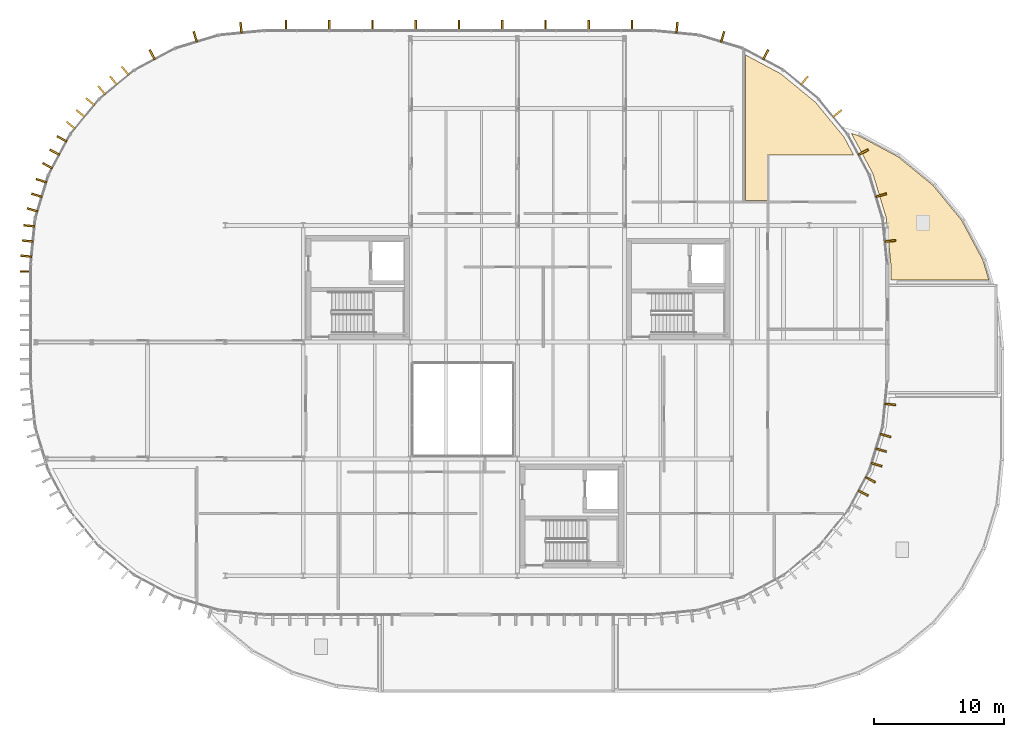
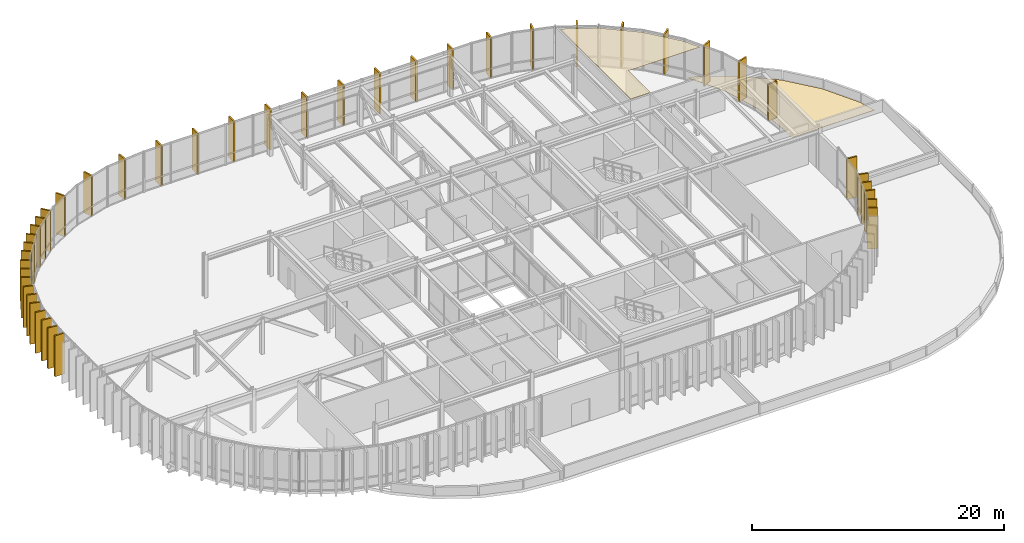
# One storey, part 29 of 29: 44 coverings.
"""IFC4 building model written with IfcOpenShell, lengths in metres."""

from ifc_helpers import new_model, si_unit, direction, frame, origin, origin_2d, place, context, subcontext, project, spatial, polyline, rectangle, outline, extrude, material, layer, layer_set, type_object, element, save


model = new_model("IFC4")

# Units and contexts
model_context = context("Model", 3, precision=1e-05, world=origin(), true_north=direction((0.0, 1.0)))
body_context = subcontext(model_context, "Body", "Model", "MODEL_VIEW")
ifc_project = project(units=[si_unit("LENGTHUNIT", "METRE"), si_unit("AREAUNIT", "SQUARE_METRE"), si_unit("VOLUMEUNIT", "CUBIC_METRE"), si_unit("PLANEANGLEUNIT", "RADIAN"), si_unit("MASSUNIT", "GRAM", prefix="KILO")], contexts=[model_context])

# Site, building, storey
site_placement = place(None, origin())
site = spatial("IfcSite", under=ifc_project, at=site_placement, CompositionType="ELEMENT")
building_placement = place(site_placement, origin())
building = spatial("IfcBuilding", under=site, at=building_placement, Name="Montealbar Specialist Clinic", CompositionType="ELEMENT")
storey_placement = place(building_placement, frame((0.0, 0.0, 22.199951171875)))
storey = spatial("IfcBuildingStorey", under=building, at=storey_placement, Name="L05", CompositionType="ELEMENT", Elevation=22.199951171875)

# Coverings
ifc_material_1 = material(Name="Hygienic acoustic ceiling tile", Category="gypsum")
ifc_layer_1 = layer(ifc_material_1, 0.02490234375, Name="Hygienic acoustic ceiling tile", Category="gypsum")
ifc_layer_set_1 = layer_set([ifc_layer_1], Name="Hygienic acoustic ceiling tile")
covering_type_1 = type_object("IfcCoveringType", Name="COV-CEIL-ACOUSTIC", PredefinedType="CEILING", material=ifc_layer_set_1)
covering_1_placement = place(storey_placement, frame((0.0, 0.0, 3.9150390625)))
element("IfcCovering", 1, at=covering_1_placement, inside=storey, type_object=covering_type_1, Name="Hygienic Acoustic Ceiling Precision Oncology Data & Trial Coordination Suite", PredefinedType="CEILING", context=body_context, shape_type="SweptSolid", body=[
    extrude(outline(polyline([(107.674072265625, 42.804931640625), (108.4189453125, 41.409912109375), (101.889892578125, 41.409912109375), (101.889892578125, 37.929931640625), (100.080078125, 37.929931640625), (100.080078125, 49.1298828125), (102.804931640625, 47.674072265625), (105.47900390625, 45.47900390625), (107.674072265625, 42.804931640625)])), origin(), (0.0, 0.0, 1.0), 0.02490234375),
])
ifc_material_2 = material(Name="Thermally modified timber cladding", Category="wood")
ifc_layer_2 = layer(ifc_material_2, 0.139892578125, Name="Thermally modified timber cladding", Category="wood")
ifc_layer_set_2 = layer_set([ifc_layer_2], Name="Thermally modified timber cladding")
covering_type_2 = type_object("IfcCoveringType", Name="COV-FIN-TIMBER-850", PredefinedType="CLADDING", material=ifc_layer_set_2)
for number, where, z_axis, x_axis, name in (
    (2, (44.60009765625, 32.43798828125, 0.0), (0.0, 0.0, 1.0), (-1.0, 0.0, 0.0), "Vertical Timber Solar Fin CF-L05-0387"),
    (3, (44.659912109375, 33.625, 0.0), (0.0, 0.0, 1.0), (-0.995182012183, 0.098044697094, 0.0), "Vertical Timber Solar Fin CF-L05-0388"),
    (4, (44.77490234375, 34.794921875, 0.0), (0.0, 0.0, 1.0), (-0.995182012183, 0.098044697094, 0.0), "Vertical Timber Solar Fin CF-L05-0389"),
    (5, (44.889892578125, 35.966064453125, 0.0), (0.0, 0.0, 1.0), (-0.995182012183, 0.098044697094, 0.0), "Vertical Timber Solar Fin CF-L05-0390"),
    (6, (45.134033203125, 37.19091796875, 0.0), (0.0, 0.0, 1.0), (-0.956948083701, 0.290259134399, 0.0), "Vertical Timber Solar Fin CF-L05-0391"),
    (7, (45.47509765625, 38.31591796875, 0.0), (0.0, 0.0, 1.0), (-0.956948083701, 0.290259134399, 0.0), "Vertical Timber Solar Fin CF-L05-0392"),
    (8, (45.81689453125, 39.44091796875, 0.0), (0.0, 0.0, 1.0), (-0.956948083701, 0.290259134399, 0.0), "Vertical Timber Solar Fin CF-L05-0393"),
    (9, (46.294921875, 40.594970703125, 0.0), (0.0, 0.0, 1.0), (-0.881850411644, 0.471529268958, 0.0), "Vertical Timber Solar Fin CF-L05-0394"),
    (10, (46.84912109375, 41.633056640625, 0.0), (0.0, 0.0, 1.0), (-0.881850411644, 0.471529268958, 0.0), "Vertical Timber Solar Fin CF-L05-0395"),
    (11, (47.404052734375, 42.669921875, 0.0), (0.0, 0.0, 1.0), (-0.881850411644, 0.471529268958, 0.0), "Vertical Timber Solar Fin CF-L05-0396"),
    (12, (48.097900390625, 43.7080078125, 0.0), (0.0, 0.0, 1.0), (-0.773123255923, 0.634255808922, 0.0), "Vertical Timber Solar Fin CF-L05-0397"),
    (13, (48.843994140625, 44.617919921875, 0.0), (0.0, 0.0, 1.0), (-0.773123255923, 0.634255808922, 0.0), "Vertical Timber Solar Fin CF-L05-0398"),
    (14, (49.590087890625, 45.527099609375, 0.0), (0.0, 0.0, 1.0), (-0.773123255923, 0.634255808922, 0.0), "Vertical Timber Solar Fin CF-L05-0399"),
    (15, (50.472900390625, 46.409912109375, 0.0), (0.0, 0.0, 1.0), (-0.634255808922, 0.773123255923, 0.0), "Vertical Timber Solar Fin CF-L05-0400"),
    (16, (51.382080078125, 47.156005859375, 0.0), (0.0, 0.0, 1.0), (-0.634255808922, 0.773123255923, 0.0), "Vertical Timber Solar Fin CF-L05-0401"),
    (17, (52.2919921875, 47.902099609375, 0.0), (0.0, 0.0, 1.0), (-0.634255808922, 0.773123255923, 0.0), "Vertical Timber Solar Fin CF-L05-0402"),
    (18, (54.366943359375, 49.15087890625, 0.0), (0.0, 0.0, 1.0), (-0.471529268958, 0.881850411644, 0.0), "Vertical Timber Solar Fin CF-L05-0403"),
    (19, (57.68408203125, 50.52490234375, 0.0), (0.0, 0.0, 1.0), (-0.290259134399, 0.956948083701, 0.0), "Vertical Timber Solar Fin CF-L05-0404"),
    (20, (61.205078125, 51.22509765625, 0.0), (0.0, 0.0, 1.0), (-0.098044697094, 0.995182012183, 0.0), "Vertical Timber Solar Fin CF-L05-0405"),
    (21, (64.6669921875, 51.39990234375, 0.0), (0.0, 0.0, 1.0), (0.0, 1.0, 0.0), "Vertical Timber Solar Fin CF-L05-0406"),
    (22, (68.0, 51.39990234375, 0.0), (0.0, 0.0, 1.0), (0.0, 1.0, 0.0), "Vertical Timber Solar Fin CF-L05-0407"),
    (23, (71.3330078125, 51.39990234375, 0.0), (0.0, 0.0, 1.0), (0.0, 1.0, 0.0), "Vertical Timber Solar Fin CF-L05-0408"),
    (24, (74.6669921875, 51.39990234375, 0.0), (0.0, 0.0, 1.0), (0.0, 1.0, 0.0), "Vertical Timber Solar Fin CF-L05-0409"),
    (25, (78.0, 51.39990234375, 0.0), (0.0, 0.0, 1.0), (0.0, 1.0, 0.0), "Vertical Timber Solar Fin CF-L05-0410"),
    (26, (81.3330078125, 51.39990234375, 0.0), (0.0, 0.0, 1.0), (0.0, 1.0, 0.0), "Vertical Timber Solar Fin CF-L05-0411"),
    (27, (84.6669921875, 51.39990234375, 0.0), (0.0, 0.0, 1.0), (0.0, 1.0, 0.0), "Vertical Timber Solar Fin CF-L05-0412"),
    (28, (88.0, 51.39990234375, 0.0), (0.0, 0.0, 1.0), (0.0, 1.0, 0.0), "Vertical Timber Solar Fin CF-L05-0413"),
    (29, (91.3330078125, 51.39990234375, 0.0), (0.0, 0.0, 1.0), (0.0, 1.0, 0.0), "Vertical Timber Solar Fin CF-L05-0414"),
    (30, (94.794921875, 51.22509765625, 0.0), (0.0, 0.0, 1.0), (0.098044697094, 0.995182012183, 0.0), "Vertical Timber Solar Fin CF-L05-0415"),
    (31, (98.31591796875, 50.52490234375, 0.0), (0.0, 0.0, 1.0), (0.290259134399, 0.956948083701, 0.0), "Vertical Timber Solar Fin CF-L05-0416"),
    (32, (101.633056640625, 49.15087890625, 0.0), (0.0, 0.0, 1.0), (0.471529268958, 0.881850411644, 0.0), "Vertical Timber Solar Fin CF-L05-0417"),
    (33, (104.617919921875, 47.156005859375, 0.0), (0.0, 0.0, 1.0), (0.634255808922, 0.773123255923, 0.0), "Vertical Timber Solar Fin CF-L05-0418"),
    (34, (107.156005859375, 44.617919921875, 0.0), (0.0, 0.0, 1.0), (0.773123255923, 0.634255808922, 0.0), "Vertical Timber Solar Fin CF-L05-0419"),
    (35, (109.15087890625, 41.633056640625, 0.0), (0.0, 0.0, 1.0), (0.881850411644, 0.471529268958, 0.0), "Vertical Timber Solar Fin CF-L05-0420"),
    (36, (110.52490234375, 38.31591796875, 0.0), (0.0, 0.0, 1.0), (0.956948083701, 0.290259134399, 0.0), "Vertical Timber Solar Fin CF-L05-0421"),
):
    element("IfcCovering", number, at=place(storey_placement, frame(where, z_axis=z_axis, x_axis=x_axis)), inside=storey, type_object=covering_type_2, Name=name, PredefinedType="CLADDING", context=body_context, shape_type="SweptSolid", body=[
        extrude(rectangle(XDim=0.85009765625, YDim=0.139892578125, at=origin_2d()), origin(), (0.0, 0.0, 1.0), 3.93994140625),
    ])
covering_2_placement = place(storey_placement, frame((111.22509765625, 34.794921875, 0.0), z_axis=(0.0, 0.0, 1.0), x_axis=(0.995182012183, 0.098044697094, 0.0)))
element("IfcCovering", 37, at=covering_2_placement, inside=storey, type_object=covering_type_2, Name="Vertical Timber Solar Fin CF-L05-0422", PredefinedType="CLADDING", context=body_context, shape_type="SweptSolid", body=[
    extrude(rectangle(XDim=0.85009765625, YDim=0.139892578125, at=origin_2d()), origin(), (0.0, 0.0, 1.0), 3.5400390625),
])
for number, where, z_axis, x_axis, name in (
    (38, (111.22509765625, 22.205078125, 0.0), (0.0, 0.0, 1.0), (0.995182012183, -0.098044697094, 0.0), "Vertical Timber Solar Fin CF-L05-0423"),
    (39, (110.865966796875, 19.80908203125, 0.0), (0.0, 0.0, 1.0), (0.956948083701, -0.290259134399, 0.0), "Vertical Timber Solar Fin CF-L05-0424"),
    (40, (110.52490234375, 18.68408203125, 0.0), (0.0, 0.0, 1.0), (0.956948083701, -0.290259134399, 0.0), "Vertical Timber Solar Fin CF-L05-0425"),
    (41, (110.18310546875, 17.55908203125, 0.0), (0.0, 0.0, 1.0), (0.956948083701, -0.290259134399, 0.0), "Vertical Timber Solar Fin CF-L05-0426"),
    (42, (109.705078125, 16.405029296875, 0.0), (0.0, 0.0, 1.0), (0.881850411644, -0.471529268958, 0.0), "Vertical Timber Solar Fin CF-L05-0427"),
    (43, (109.15087890625, 15.366943359375, 0.0), (0.0, 0.0, 1.0), (0.881850411644, -0.471529268958, 0.0), "Vertical Timber Solar Fin CF-L05-0428"),
):
    element("IfcCovering", number, at=place(storey_placement, frame(where, z_axis=z_axis, x_axis=x_axis)), inside=storey, type_object=covering_type_2, Name=name, PredefinedType="CLADDING", context=body_context, shape_type="SweptSolid", body=[
        extrude(rectangle(XDim=0.85009765625, YDim=0.139892578125, at=origin_2d()), origin(), (0.0, 0.0, 1.0), 3.93994140625),
    ])
ifc_material_3 = material(Name="Weatherproof roofing membrane", Category="concrete")
ifc_layer_3 = layer(ifc_material_3, 0.030029296875, Name="Weatherproof roofing membrane", Category="concrete")
ifc_layer_set_3 = layer_set([ifc_layer_3], Name="Weatherproof roofing membrane")
covering_type_3 = type_object("IfcCoveringType", Name="COV-ROOF-MEMB", PredefinedType="ROOFING", material=ifc_layer_set_3)
covering_3_placement = place(storey_placement, origin())
element("IfcCovering", 44, at=covering_3_placement, inside=storey, type_object=covering_type_3, Name="Weatherproof Roof Membrane ROOF-L05-02", PredefinedType="ROOFING", context=body_context, shape_type="SweptSolid", body=[
    extrude(outline(polyline([(108.238037109375, 43.083984375), (108.780029296875, 42.919921875), (111.843994140625, 41.281982421875), (114.529052734375, 39.0791015625), (116.73193359375, 36.39404296875), (118.3701171875, 33.330078125), (118.840087890625, 31.780029296875), (111.280029296875, 31.780029296875), (111.280029296875, 33.0), (111.279052734375, 33.027099609375), (110.93310546875, 36.5390625), (110.928955078125, 36.56689453125), (110.922119140625, 36.593017578125), (109.89794921875, 39.968994140625), (109.888916015625, 39.9951171875), (109.876953125, 40.02001953125), (108.238037109375, 43.083984375)])), origin(), (0.0, 0.0, 1.0), 0.030029296875),
])

save(model, "model.ifc")
